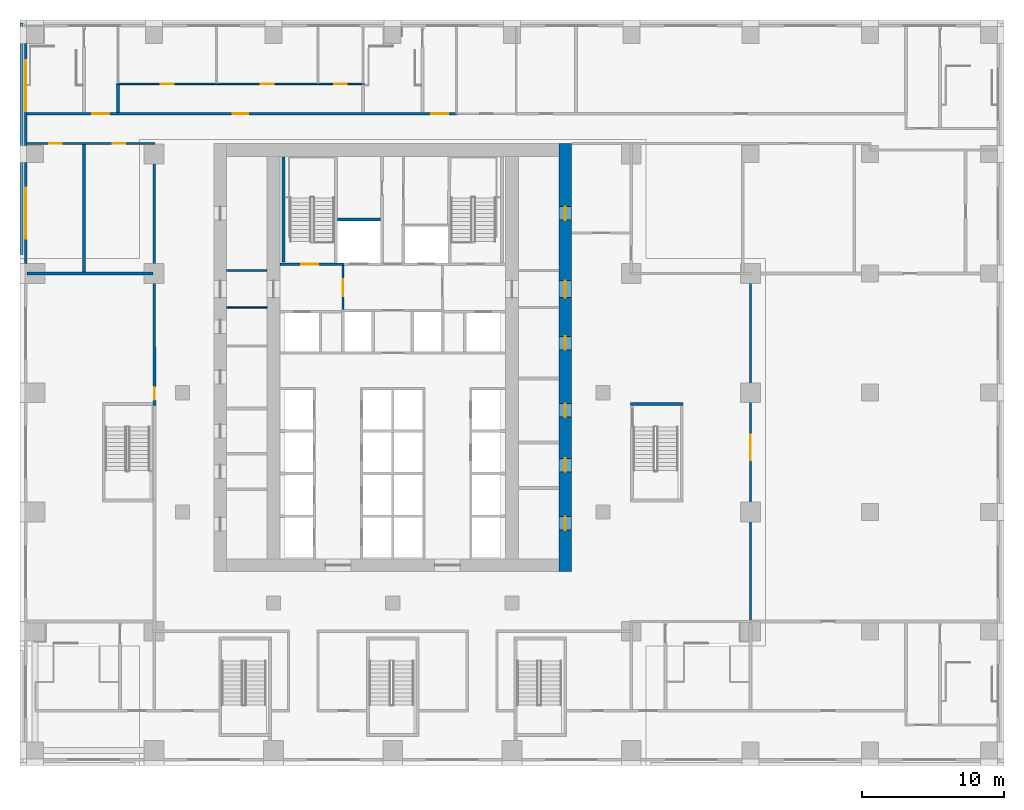
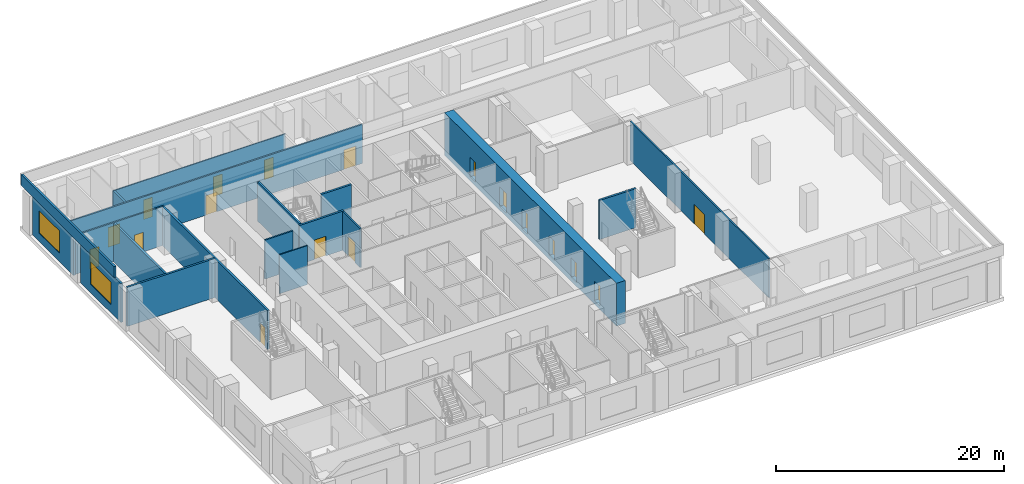
# One storey, part 6 of 16: 19 walls, 18 doors, 2 windows, 20 openings.
"""IFC4 building model written with IfcOpenShell, lengths in metres."""

from ifc_helpers import new_model, si_unit, direction, frame, frame_2d, origin, place, context, subcontext, project, spatial, rectangle, extrude, material, layer, layer_set, type_object, element, fill, save


model = new_model("IFC4")

# Units and contexts
model_context = context("Model", 3, precision=1e-05, world=origin(), true_north=direction((0.0, 1.0)))
body_context = subcontext(model_context, "Body", "Model", "MODEL_VIEW")
ifc_project = project(units=[si_unit("LENGTHUNIT", "METRE"), si_unit("AREAUNIT", "SQUARE_METRE"), si_unit("VOLUMEUNIT", "CUBIC_METRE"), si_unit("PLANEANGLEUNIT", "RADIAN"), si_unit("MASSUNIT", "GRAM", prefix="KILO")], contexts=[model_context])

# Site, building, storey
site_placement = place(None, origin())
site = spatial("IfcSite", under=ifc_project, at=site_placement, CompositionType="ELEMENT")
building_placement = place(site_placement, origin())
building = spatial("IfcBuilding", under=site, at=building_placement, Name="Vermilion Ogive Tower", CompositionType="ELEMENT")
storey_placement = place(building_placement, frame((0.0, 0.0, 30.0)))
storey = spatial("IfcBuildingStorey", under=building, at=storey_placement, Name="L05", CompositionType="ELEMENT", Elevation=30.0)

# Wall, openings, doors
ifc_material_1 = material(Name="Concrete B80", Category="concrete")
ifc_layer_1 = layer(ifc_material_1, 0.89990234375)
ifc_layer_set_1 = layer_set([ifc_layer_1], Name="Core wall 900 B80")
wall_type_1 = type_object("IfcWallType", Name="Core wall 900 B80", PredefinedType="SHEAR", material=ifc_layer_set_1)
wall_1_placement = place(storey_placement, frame((12.14990234375, -8.39990234375, -0.39990234375), z_axis=(0.0, 0.0, 1.0), x_axis=(0.0, 1.0, 0.0)))
wall_1 = element("IfcWall", 1, at=wall_1_placement, inside=storey, type_object=wall_type_1, Name="L05-CORE-E", PredefinedType="SHEAR", context=body_context, shape_type="SweptSolid", body=[
    extrude(rectangle(XDim=30.14990234375, YDim=0.89990234375, at=frame_2d((15.074951171875, 0.0))), origin(), (0.0, 0.0, 1.0), 4.579833984375),
])
opening_1_placement = place(wall_1_placement, frame((2.925048828125, 0.0, 0.39990234375)))
opening_1 = element("IfcOpeningElement", 2, at=opening_1_placement, cuts=wall_1, Name="Opening DAJ029", PredefinedType="OPENING", context=body_context, shape_type="SweptSolid", body=[
    extrude(rectangle(XDim=0.949951171875, YDim=2.10009765625, at=frame_2d((0.47509765625, 1.050048828125))), frame((0.0, 0.4599609375, 0.0), z_axis=(0.0, -1.0, 0.0), x_axis=(1.0, 0.0, 0.0)), (0.0, 0.0, 1.0), 0.919921875),
])
opening_2_placement = place(wall_1_placement, frame((7.02490234375, 0.0, 0.39990234375)))
opening_2 = element("IfcOpeningElement", 3, at=opening_2_placement, cuts=wall_1, Name="Opening DAJ030", PredefinedType="OPENING", context=body_context, shape_type="SweptSolid", body=[
    extrude(rectangle(XDim=0.949951171875, YDim=2.10009765625, at=frame_2d((0.47509765625, 1.050048828125))), frame((0.0, 0.4599609375, 0.0), z_axis=(0.0, -1.0, 0.0), x_axis=(1.0, 0.0, 0.0)), (0.0, 0.0, 1.0), 0.919921875),
])
opening_3_placement = place(wall_1_placement, frame((10.875, 0.0, 0.39990234375)))
opening_3 = element("IfcOpeningElement", 4, at=opening_3_placement, cuts=wall_1, Name="Opening DAJ031", PredefinedType="OPENING", context=body_context, shape_type="SweptSolid", body=[
    extrude(rectangle(XDim=0.949951171875, YDim=2.10009765625, at=frame_2d((0.47509765625, 1.050048828125))), frame((0.0, 0.4599609375, 0.0), z_axis=(0.0, -1.0, 0.0), x_axis=(1.0, 0.0, 0.0)), (0.0, 0.0, 1.0), 0.919921875),
])
opening_4_placement = place(wall_1_placement, frame((15.625, 0.0, 0.39990234375)))
opening_4 = element("IfcOpeningElement", 5, at=opening_4_placement, cuts=wall_1, Name="Opening DAJ032", PredefinedType="OPENING", context=body_context, shape_type="SweptSolid", body=[
    extrude(rectangle(XDim=0.949951171875, YDim=2.10009765625, at=frame_2d((0.47509765625, 1.050048828125))), frame((0.0, 0.4599609375, 0.0), z_axis=(0.0, -1.0, 0.0), x_axis=(1.0, 0.0, 0.0)), (0.0, 0.0, 1.0), 0.919921875),
])
opening_5_placement = place(wall_1_placement, frame((24.75, 0.0, 0.39990234375)))
opening_5 = element("IfcOpeningElement", 6, at=opening_5_placement, cuts=wall_1, Name="Opening DAJ033", PredefinedType="OPENING", context=body_context, shape_type="SweptSolid", body=[
    extrude(rectangle(XDim=0.949951171875, YDim=2.10009765625, at=frame_2d((0.47509765625, 1.050048828125))), frame((0.0, 0.4599609375, 0.0), z_axis=(0.0, -1.0, 0.0), x_axis=(1.0, 0.0, 0.0)), (0.0, 0.0, 1.0), 0.919921875),
])
opening_6_placement = place(wall_1_placement, frame((19.300048828125, 0.0, 0.39990234375)))
opening_6 = element("IfcOpeningElement", 7, at=opening_6_placement, cuts=wall_1, Name="Opening DBA006", PredefinedType="OPENING", context=body_context, shape_type="SweptSolid", body=[
    extrude(rectangle(XDim=1.199951171875, YDim=2.10009765625, at=frame_2d((0.60009765625, 1.050048828125))), frame((0.0, 0.4599609375, 0.0), z_axis=(0.0, -1.0, 0.0), x_axis=(1.0, 0.0, 0.0)), (0.0, 0.0, 1.0), 0.919921875),
])
ifc_material_2 = material(Name="Timber door leaf", Category="wood")
door_type_1 = type_object("IfcDoorType", Name="Link door 1200 x 2100 FD60S", OperationType="SINGLE_SWING_LEFT", PredefinedType="DOOR", material=ifc_material_2)
door_1_placement = place(opening_6_placement, origin())
door_1 = element("IfcDoor", 8, at=door_1_placement, inside=storey, type_object=door_type_1, Name="L05-CKE-XL", OperationType="SINGLE_SWING_LEFT", OverallHeight=2.10009765625, OverallWidth=1.199951171875, PredefinedType="DOOR", context=body_context, shape_type="SweptSolid", body=[
    extrude(rectangle(XDim=1.199951171875, YDim=2.10009765625, at=frame_2d((0.60009765625, 1.050048828125))), frame((0.0, 0.02490234375, 0.0), z_axis=(0.0, -1.0, 0.0), x_axis=(1.0, 0.0, 0.0)), (0.0, 0.0, 1.0), 0.050048828125),
])
fill(opening_6, door_1)
ifc_material_3 = material(Name="Timber door leaf", Category="wood")
door_type_2 = type_object("IfcDoorType", Name="Service door 950 x 2100 FD60", OperationType="SINGLE_SWING_LEFT", PredefinedType="DOOR", material=ifc_material_3)
door_2_placement = place(opening_1_placement, origin())
door_2 = element("IfcDoor", 9, at=door_2_placement, inside=storey, type_object=door_type_2, Name="L05-CKE-XR0", OperationType="SINGLE_SWING_LEFT", OverallHeight=2.10009765625, OverallWidth=0.949951171875, PredefinedType="DOOR", context=body_context, shape_type="SweptSolid", body=[
    extrude(rectangle(XDim=0.949951171875, YDim=2.10009765625, at=frame_2d((0.47509765625, 1.050048828125))), frame((0.0, 0.02490234375, 0.0), z_axis=(0.0, -1.0, 0.0), x_axis=(1.0, 0.0, 0.0)), (0.0, 0.0, 1.0), 0.050048828125),
])
fill(opening_1, door_2)
door_3_placement = place(opening_2_placement, origin())
door_3 = element("IfcDoor", 10, at=door_3_placement, inside=storey, type_object=door_type_2, Name="L05-CKE-XR1", OperationType="SINGLE_SWING_LEFT", OverallHeight=2.10009765625, OverallWidth=0.949951171875, PredefinedType="DOOR", context=body_context, shape_type="SweptSolid", body=[
    extrude(rectangle(XDim=0.949951171875, YDim=2.10009765625, at=frame_2d((0.47509765625, 1.050048828125))), frame((0.0, 0.02490234375, 0.0), z_axis=(0.0, -1.0, 0.0), x_axis=(1.0, 0.0, 0.0)), (0.0, 0.0, 1.0), 0.050048828125),
])
fill(opening_2, door_3)
door_4_placement = place(opening_3_placement, origin())
door_4 = element("IfcDoor", 11, at=door_4_placement, inside=storey, type_object=door_type_2, Name="L05-CKE-XR2", OperationType="SINGLE_SWING_LEFT", OverallHeight=2.10009765625, OverallWidth=0.949951171875, PredefinedType="DOOR", context=body_context, shape_type="SweptSolid", body=[
    extrude(rectangle(XDim=0.949951171875, YDim=2.10009765625, at=frame_2d((0.47509765625, 1.050048828125))), frame((0.0, 0.02490234375, 0.0), z_axis=(0.0, -1.0, 0.0), x_axis=(1.0, 0.0, 0.0)), (0.0, 0.0, 1.0), 0.050048828125),
])
fill(opening_3, door_4)
door_5_placement = place(opening_4_placement, origin())
door_5 = element("IfcDoor", 12, at=door_5_placement, inside=storey, type_object=door_type_2, Name="L05-CKE-XR3", OperationType="SINGLE_SWING_LEFT", OverallHeight=2.10009765625, OverallWidth=0.949951171875, PredefinedType="DOOR", context=body_context, shape_type="SweptSolid", body=[
    extrude(rectangle(XDim=0.949951171875, YDim=2.10009765625, at=frame_2d((0.47509765625, 1.050048828125))), frame((0.0, 0.02490234375, 0.0), z_axis=(0.0, -1.0, 0.0), x_axis=(1.0, 0.0, 0.0)), (0.0, 0.0, 1.0), 0.050048828125),
])
fill(opening_4, door_5)
door_6_placement = place(opening_5_placement, origin())
door_6 = element("IfcDoor", 13, at=door_6_placement, inside=storey, type_object=door_type_2, Name="L05-CKE-XR4", OperationType="SINGLE_SWING_LEFT", OverallHeight=2.10009765625, OverallWidth=0.949951171875, PredefinedType="DOOR", context=body_context, shape_type="SweptSolid", body=[
    extrude(rectangle(XDim=0.949951171875, YDim=2.10009765625, at=frame_2d((0.47509765625, 1.050048828125))), frame((0.0, 0.02490234375, 0.0), z_axis=(0.0, -1.0, 0.0), x_axis=(1.0, 0.0, 0.0)), (0.0, 0.0, 1.0), 0.050048828125),
])
fill(opening_5, door_6)

ifc_material_4 = material(Name="Gypsum board partition on steel studs", Category="steel")
ifc_layer_2 = layer(ifc_material_4, 0.10009765625)
ifc_layer_set_2 = layer_set([ifc_layer_2], Name="Partition 100 bath")
wall_type_2 = type_object("IfcWallType", Name="Partition 100 bath", PredefinedType="PARTITIONING", material=ifc_layer_set_2)
wall_2_placement = place(storey_placement, frame((-19.449951171875, 25.949951171875, 0.0), z_axis=(0.0, 0.0, 1.0), x_axis=(1.0, 0.0, 0.0)))
wall_2 = element("IfcWall", 14, at=wall_2_placement, inside=storey, type_object=wall_type_2, Name="L05-FS-W-W025", PredefinedType="PARTITIONING", context=body_context, shape_type="SweptSolid", body=[
    extrude(rectangle(XDim=17.449951171875, YDim=0.10009765625, at=frame_2d((8.72509765625, 0.0))), origin(), (0.0, 0.0, 1.0), 4.179931640625),
])
opening_7_placement = place(wall_2_placement, frame((3.112548828125, 0.0, 0.0)))
opening_7 = element("IfcOpeningElement", 15, at=opening_7_placement, cuts=wall_2, Name="Opening L05S018", PredefinedType="OPENING", context=body_context, shape_type="SweptSolid", body=[
    extrude(rectangle(XDim=0.89990234375, YDim=2.10009765625, at=frame_2d((0.449951171875, 1.050048828125))), frame((0.0, 0.06005859375, 0.0), z_axis=(0.0, -1.0, 0.0), x_axis=(1.0, 0.0, 0.0)), (0.0, 0.0, 1.0), 0.1201171875),
])
opening_8_placement = place(wall_2_placement, frame((10.162353515625, 0.0, 0.0)))
opening_8 = element("IfcOpeningElement", 16, at=opening_8_placement, cuts=wall_2, Name="Opening L05S019", PredefinedType="OPENING", context=body_context, shape_type="SweptSolid", body=[
    extrude(rectangle(XDim=0.89990234375, YDim=2.10009765625, at=frame_2d((0.449951171875, 1.050048828125))), frame((0.0, 0.06005859375, 0.0), z_axis=(0.0, -1.0, 0.0), x_axis=(1.0, 0.0, 0.0)), (0.0, 0.0, 1.0), 0.1201171875),
])
opening_9_placement = place(wall_2_placement, frame((15.324951171875, 0.0, 0.0)))
opening_9 = element("IfcOpeningElement", 17, at=opening_9_placement, cuts=wall_2, Name="Opening L05S020", PredefinedType="OPENING", context=body_context, shape_type="SweptSolid", body=[
    extrude(rectangle(XDim=0.89990234375, YDim=2.10009765625, at=frame_2d((0.449951171875, 1.050048828125))), frame((0.0, 0.06005859375, 0.0), z_axis=(0.0, -1.0, 0.0), x_axis=(1.0, 0.0, 0.0)), (0.0, 0.0, 1.0), 0.1201171875),
])
ifc_material_5 = material(Name="Timber door leaf", Category="wood")
door_type_3 = type_object("IfcDoorType", Name="Room door 900 x 2100 FD30", OperationType="SINGLE_SWING_LEFT", PredefinedType="DOOR", material=ifc_material_5)
door_7_placement = place(opening_7_placement, origin())
door_7 = element("IfcDoor", 18, at=door_7_placement, inside=storey, type_object=door_type_3, Name="L05-FS-D-D018", OperationType="SINGLE_SWING_LEFT", OverallHeight=2.10009765625, OverallWidth=0.89990234375, PredefinedType="DOOR", context=body_context, shape_type="SweptSolid", body=[
    extrude(rectangle(XDim=0.89990234375, YDim=2.10009765625, at=frame_2d((0.449951171875, 1.050048828125))), frame((0.0, 0.02490234375, 0.0), z_axis=(0.0, -1.0, 0.0), x_axis=(1.0, 0.0, 0.0)), (0.0, 0.0, 1.0), 0.050048828125),
])
fill(opening_7, door_7)
door_8_placement = place(opening_8_placement, origin())
door_8 = element("IfcDoor", 19, at=door_8_placement, inside=storey, type_object=door_type_3, Name="L05-FS-D-D019", OperationType="SINGLE_SWING_LEFT", OverallHeight=2.10009765625, OverallWidth=0.89990234375, PredefinedType="DOOR", context=body_context, shape_type="SweptSolid", body=[
    extrude(rectangle(XDim=0.89990234375, YDim=2.10009765625, at=frame_2d((0.449951171875, 1.050048828125))), frame((0.0, 0.02490234375, 0.0), z_axis=(0.0, -1.0, 0.0), x_axis=(1.0, 0.0, 0.0)), (0.0, 0.0, 1.0), 0.050048828125),
])
fill(opening_8, door_8)
door_9_placement = place(opening_9_placement, origin())
door_9 = element("IfcDoor", 20, at=door_9_placement, inside=storey, type_object=door_type_3, Name="L05-FS-D-D020", OperationType="SINGLE_SWING_LEFT", OverallHeight=2.10009765625, OverallWidth=0.89990234375, PredefinedType="DOOR", context=body_context, shape_type="SweptSolid", body=[
    extrude(rectangle(XDim=0.89990234375, YDim=2.10009765625, at=frame_2d((0.449951171875, 1.050048828125))), frame((0.0, 0.02490234375, 0.0), z_axis=(0.0, -1.0, 0.0), x_axis=(1.0, 0.0, 0.0)), (0.0, 0.0, 1.0), 0.050048828125),
])
fill(opening_9, door_9)

# Wall
wall_3_placement = place(storey_placement, frame((-11.698974609375, 10.199951171875, 0.0), z_axis=(0.0, 0.0, 1.0), x_axis=(1.0, 0.0, 0.0)))
element("IfcWall", 21, at=wall_3_placement, inside=storey, type_object=wall_type_2, Name="L05-CKW-W-W005", PredefinedType="PARTITIONING", context=body_context, shape_type="SweptSolid", body=[
    extrude(rectangle(XDim=2.847900390625, YDim=0.10009765625, at=frame_2d((1.423828125, 0.0))), origin(), (0.0, 0.0, 1.0), 4.179931640625),
])

# Wall, openings, doors
ifc_material_6 = material(Name="Gypsum board partition on steel studs", Category="steel")
ifc_layer_3 = layer(ifc_material_6, 0.14990234375)
ifc_layer_set_3 = layer_set([ifc_layer_3], Name="Partition 150 corridor")
wall_type_3 = type_object("IfcWallType", Name="Partition 150 corridor", PredefinedType="PARTITIONING", material=ifc_layer_set_3)
wall_4_placement = place(storey_placement, frame((-25.75, 21.75, 0.0), z_axis=(0.0, 0.0, 1.0), x_axis=(1.0, 0.0, 0.0)))
wall_4 = element("IfcWall", 22, at=wall_4_placement, inside=storey, type_object=wall_type_3, Name="L05-FS-W-W019", PredefinedType="PARTITIONING", context=body_context, shape_type="SweptSolid", body=[
    extrude(rectangle(XDim=9.02490234375, YDim=0.14990234375, at=frame_2d((4.512451171875, 0.0))), origin(), (0.0, 0.0, 1.0), 4.179931640625),
])
opening_10_placement = place(wall_4_placement, frame((1.550048828125, 0.0, 0.0)))
opening_10 = element("IfcOpeningElement", 23, at=opening_10_placement, cuts=wall_4, Name="Opening L05S015", PredefinedType="OPENING", context=body_context, shape_type="SweptSolid", body=[
    extrude(rectangle(XDim=0.89990234375, YDim=2.10009765625, at=frame_2d((0.449951171875, 1.050048828125))), frame((0.0, 0.0849609375, 0.0), z_axis=(0.0, -1.0, 0.0), x_axis=(1.0, 0.0, 0.0)), (0.0, 0.0, 1.0), 0.169921875),
])
opening_11_placement = place(wall_4_placement, frame((6.02490234375, 0.0, 0.0)))
opening_11 = element("IfcOpeningElement", 24, at=opening_11_placement, cuts=wall_4, Name="Opening L05S016", PredefinedType="OPENING", context=body_context, shape_type="SweptSolid", body=[
    extrude(rectangle(XDim=0.89990234375, YDim=2.10009765625, at=frame_2d((0.449951171875, 1.050048828125))), frame((0.0, 0.0849609375, 0.0), z_axis=(0.0, -1.0, 0.0), x_axis=(1.0, 0.0, 0.0)), (0.0, 0.0, 1.0), 0.169921875),
])
door_10_placement = place(opening_10_placement, origin())
door_10 = element("IfcDoor", 25, at=door_10_placement, inside=storey, type_object=door_type_3, Name="L05-FS-D-D015", OperationType="SINGLE_SWING_LEFT", OverallHeight=2.10009765625, OverallWidth=0.89990234375, PredefinedType="DOOR", context=body_context, shape_type="SweptSolid", body=[
    extrude(rectangle(XDim=0.89990234375, YDim=2.10009765625, at=frame_2d((0.449951171875, 1.050048828125))), frame((0.0, 0.02490234375, 0.0), z_axis=(0.0, -1.0, 0.0), x_axis=(1.0, 0.0, 0.0)), (0.0, 0.0, 1.0), 0.050048828125),
])
fill(opening_10, door_10)
door_11_placement = place(opening_11_placement, origin())
door_11 = element("IfcDoor", 26, at=door_11_placement, inside=storey, type_object=door_type_3, Name="L05-FS-D-D016", OperationType="SINGLE_SWING_RIGHT", OverallHeight=2.10009765625, OverallWidth=0.89990234375, PredefinedType="DOOR", context=body_context, shape_type="SweptSolid", body=[
    extrude(rectangle(XDim=0.89990234375, YDim=2.10009765625, at=frame_2d((0.449951171875, 1.050048828125))), frame((0.0, 0.02490234375, 0.0), z_axis=(0.0, -1.0, 0.0), x_axis=(1.0, 0.0, 0.0)), (0.0, 0.0, 1.0), 0.050048828125),
])
fill(opening_11, door_11)

wall_5_placement = place(storey_placement, frame((-25.75, 23.85009765625, 0.0), z_axis=(0.0, 0.0, 1.0), x_axis=(1.0, 0.0, 0.0)))
wall_5 = element("IfcWall", 27, at=wall_5_placement, inside=storey, type_object=wall_type_3, Name="L05-FS-W-W022", PredefinedType="PARTITIONING", context=body_context, shape_type="SweptSolid", body=[
    extrude(rectangle(XDim=30.300048828125, YDim=0.14990234375, at=frame_2d((15.14990234375, 0.0))), origin(), (0.0, 0.0, 1.0), 4.179931640625),
])
opening_12_placement = place(wall_5_placement, frame((4.60009765625, 0.0, 0.0)))
opening_12 = element("IfcOpeningElement", 28, at=opening_12_placement, cuts=wall_5, Name="Opening L05S007", PredefinedType="OPENING", context=body_context, shape_type="SweptSolid", body=[
    extrude(rectangle(XDim=1.199951171875, YDim=2.10009765625, at=frame_2d((0.60009765625, 1.050048828125))), frame((0.0, 0.0849609375, 0.0), z_axis=(0.0, -1.0, 0.0), x_axis=(1.0, 0.0, 0.0)), (0.0, 0.0, 1.0), 0.169921875),
])
opening_13_placement = place(wall_5_placement, frame((28.449951171875, 0.0, 0.0)))
opening_13 = element("IfcOpeningElement", 29, at=opening_13_placement, cuts=wall_5, Name="Opening L05S011", PredefinedType="OPENING", context=body_context, shape_type="SweptSolid", body=[
    extrude(rectangle(XDim=1.199951171875, YDim=2.10009765625, at=frame_2d((0.60009765625, 1.050048828125))), frame((0.0, 0.0849609375, 0.0), z_axis=(0.0, -1.0, 0.0), x_axis=(1.0, 0.0, 0.0)), (0.0, 0.0, 1.0), 0.169921875),
])
opening_14_placement = place(wall_5_placement, frame((14.47509765625, 0.0, 0.0)))
opening_14 = element("IfcOpeningElement", 30, at=opening_14_placement, cuts=wall_5, Name="Opening L05S017", PredefinedType="OPENING", context=body_context, shape_type="SweptSolid", body=[
    extrude(rectangle(XDim=1.10009765625, YDim=2.10009765625, at=frame_2d((0.550048828125, 1.050048828125))), frame((0.0, 0.0849609375, 0.0), z_axis=(0.0, -1.0, 0.0), x_axis=(1.0, 0.0, 0.0)), (0.0, 0.0, 1.0), 0.169921875),
])
ifc_material_7 = material(Name="Timber door leaf", Category="wood")
door_type_4 = type_object("IfcDoorType", Name="Stair door 1200 x 2100 FD60S", OperationType="SINGLE_SWING_LEFT", PredefinedType="DOOR", material=ifc_material_7)
door_12_placement = place(opening_12_placement, origin())
door_12 = element("IfcDoor", 31, at=door_12_placement, inside=storey, type_object=door_type_4, Name="L05-FS-D-D007", OperationType="SINGLE_SWING_LEFT", OverallHeight=2.10009765625, OverallWidth=1.199951171875, PredefinedType="DOOR", context=body_context, shape_type="SweptSolid", body=[
    extrude(rectangle(XDim=1.199951171875, YDim=2.10009765625, at=frame_2d((0.60009765625, 1.050048828125))), frame((0.0, 0.02490234375, 0.0), z_axis=(0.0, -1.0, 0.0), x_axis=(1.0, 0.0, 0.0)), (0.0, 0.0, 1.0), 0.050048828125),
])
fill(opening_12, door_12)
door_13_placement = place(opening_13_placement, origin())
door_13 = element("IfcDoor", 32, at=door_13_placement, inside=storey, type_object=door_type_4, Name="L05-FS-D-D011", OperationType="SINGLE_SWING_RIGHT", OverallHeight=2.10009765625, OverallWidth=1.199951171875, PredefinedType="DOOR", context=body_context, shape_type="SweptSolid", body=[
    extrude(rectangle(XDim=1.199951171875, YDim=2.10009765625, at=frame_2d((0.60009765625, 1.050048828125))), frame((0.0, 0.02490234375, 0.0), z_axis=(0.0, -1.0, 0.0), x_axis=(1.0, 0.0, 0.0)), (0.0, 0.0, 1.0), 0.050048828125),
])
fill(opening_13, door_13)
ifc_material_8 = material(Name="Timber door leaf", Category="wood")
door_type_5 = type_object("IfcDoorType", Name="Wc door 1100 x 2100 FD30", OperationType="SINGLE_SWING_LEFT", PredefinedType="DOOR", material=ifc_material_8)
door_14_placement = place(opening_14_placement, origin())
door_14 = element("IfcDoor", 33, at=door_14_placement, inside=storey, type_object=door_type_5, Name="L05-FS-D-D017", OperationType="SINGLE_SWING_LEFT", OverallHeight=2.10009765625, OverallWidth=1.10009765625, PredefinedType="DOOR", context=body_context, shape_type="SweptSolid", body=[
    extrude(rectangle(XDim=1.10009765625, YDim=2.10009765625, at=frame_2d((0.550048828125, 1.050048828125))), frame((0.0, 0.02490234375, 0.0), z_axis=(0.0, -1.0, 0.0), x_axis=(1.0, 0.0, 0.0)), (0.0, 0.0, 1.0), 0.050048828125),
])
fill(opening_14, door_14)

# Wall, opening, door
wall_6_placement = place(storey_placement, frame((25.199951171875, -11.800048828125, 0.0), z_axis=(0.0, 0.0, 1.0), x_axis=(0.0, 1.0, 0.0)))
wall_6 = element("IfcWall", 34, at=wall_6_placement, inside=storey, type_object=wall_type_3, Name="L05-FS-W-W052", PredefinedType="PARTITIONING", context=body_context, shape_type="SweptSolid", body=[
    extrude(rectangle(XDim=24.300048828125, YDim=0.14990234375, at=frame_2d((12.14990234375, 0.0))), origin(), (0.0, 0.0, 1.0), 4.179931640625),
])
opening_15_placement = place(wall_6_placement, frame((11.25, 0.0, 0.0)))
opening_15 = element("IfcOpeningElement", 35, at=opening_15_placement, cuts=wall_6, Name="Opening L05S021", PredefinedType="OPENING", context=body_context, shape_type="SweptSolid", body=[
    extrude(rectangle(XDim=1.800048828125, YDim=2.10009765625, at=frame_2d((0.89990234375, 1.050048828125))), frame((0.0, 0.0849609375, 0.0), z_axis=(0.0, -1.0, 0.0), x_axis=(1.0, 0.0, 0.0)), (0.0, 0.0, 1.0), 0.169921875),
])
ifc_material_9 = material(Name="Timber door leaf", Category="wood")
door_type_6 = type_object("IfcDoorType", Name="Assembly door 1800 x 2100 FD30", OperationType="DOUBLE_DOOR_SINGLE_SWING", PredefinedType="DOOR", material=ifc_material_9)
door_15_placement = place(opening_15_placement, origin())
door_15 = element("IfcDoor", 36, at=door_15_placement, inside=storey, type_object=door_type_6, Name="L05-FS-D-D021", OperationType="DOUBLE_DOOR_SINGLE_SWING", OverallHeight=2.10009765625, OverallWidth=1.800048828125, PredefinedType="DOOR", context=body_context, shape_type="SweptSolid", body=[
    extrude(rectangle(XDim=1.800048828125, YDim=2.10009765625, at=frame_2d((0.89990234375, 1.050048828125))), frame((0.0, 0.02490234375, 0.0), z_axis=(0.0, -1.0, 0.0), x_axis=(1.0, 0.0, 0.0)), (0.0, 0.0, 1.0), 0.050048828125),
])
fill(opening_15, door_15)

wall_7_placement = place(storey_placement, frame((-3.5, 10.074951171875, 0.0), z_axis=(0.0, 0.0, 1.0), x_axis=(0.0, 1.0, 0.0)))
wall_7 = element("IfcWall", 37, at=wall_7_placement, inside=storey, type_object=wall_type_3, Name="L05-CK-W-W026", PredefinedType="PARTITIONING", context=body_context, shape_type="SweptSolid", body=[
    extrude(rectangle(XDim=3.074951171875, YDim=0.14990234375, at=frame_2d((1.53759765625, 0.0))), origin(), (0.0, 0.0, 1.0), 4.179931640625),
])
opening_16_placement = place(wall_7_placement, frame((0.925048828125, 0.0, 0.0)))
opening_16 = element("IfcOpeningElement", 38, at=opening_16_placement, cuts=wall_7, Name="Opening DAB124", PredefinedType="OPENING", context=body_context, shape_type="SweptSolid", body=[
    extrude(rectangle(XDim=1.199951171875, YDim=2.10009765625, at=frame_2d((0.60009765625, 1.050048828125))), frame((0.0, 0.0849609375, 0.0), z_axis=(0.0, -1.0, 0.0), x_axis=(1.0, 0.0, 0.0)), (0.0, 0.0, 1.0), 0.169921875),
])
ifc_material_10 = material(Name="Timber door leaf", Category="wood")
door_type_7 = type_object("IfcDoorType", Name="Lobby door 1200 x 2100 FD60S", OperationType="SINGLE_SWING_LEFT", PredefinedType="DOOR", material=ifc_material_10)
door_16_placement = place(opening_16_placement, origin())
door_16 = element("IfcDoor", 39, at=door_16_placement, inside=storey, type_object=door_type_7, Name="L05-CK-D-D022", OperationType="SINGLE_SWING_RIGHT", OverallHeight=2.10009765625, OverallWidth=1.199951171875, PredefinedType="DOOR", context=body_context, shape_type="SweptSolid", body=[
    extrude(rectangle(XDim=1.199951171875, YDim=2.10009765625, at=frame_2d((0.60009765625, 1.050048828125))), frame((0.0, 0.02490234375, 0.0), z_axis=(0.0, -1.0, 0.0), x_axis=(1.0, 0.0, 0.0)), (0.0, 0.0, 1.0), 0.050048828125),
])
fill(opening_16, door_16)

# Walls
wall_8_placement = place(storey_placement, frame((-11.698974609375, 12.800048828125, 0.0), z_axis=(0.0, 0.0, 1.0), x_axis=(1.0, 0.0, 0.0)))
element("IfcWall", 40, at=wall_8_placement, inside=storey, type_object=wall_type_3, Name="L05-CKW-W-W006", PredefinedType="PARTITIONING", context=body_context, shape_type="SweptSolid", body=[
    extrude(rectangle(XDim=2.847900390625, YDim=0.14990234375, at=frame_2d((1.423828125, 0.0))), origin(), (0.0, 0.0, 1.0), 4.179931640625),
])
ifc_material_11 = material(Name="Gypsum board partition on steel studs", Category="steel")
ifc_layer_4 = layer(ifc_material_11, 0.199951171875)
ifc_layer_set_4 = layer_set([ifc_layer_4], Name="Partition 200 party")
wall_type_4 = type_object("IfcWallType", Name="Partition 200 party", PredefinedType="PARTITIONING", material=ifc_layer_set_4)
wall_9_placement = place(storey_placement, frame((-25.75, 12.60009765625, 0.0), z_axis=(0.0, 0.0, 1.0), x_axis=(1.0, 0.0, 0.0)))
element("IfcWall", 41, at=wall_9_placement, inside=storey, type_object=wall_type_4, Name="L05-FS-W-W014", PredefinedType="PARTITIONING", context=body_context, shape_type="SweptSolid", body=[
    extrude(rectangle(XDim=8.875, YDim=0.199951171875, at=frame_2d((4.4375, 0.0))), origin(), (0.0, 0.0, 1.0), 4.179931640625),
])
wall_10_placement = place(storey_placement, frame((-21.75, 12.699951171875, 0.0), z_axis=(0.0, 0.0, 1.0), x_axis=(0.0, 1.0, 0.0)))
element("IfcWall", 42, at=wall_10_placement, inside=storey, type_object=wall_type_4, Name="L05-FS-W-W026", PredefinedType="PARTITIONING", context=body_context, shape_type="SweptSolid", body=[
    extrude(rectangle(XDim=8.97509765625, YDim=0.199951171875, at=frame_2d((4.487548828125, 0.0))), origin(), (0.0, 0.0, 1.0), 4.179931640625),
])
wall_11_placement = place(storey_placement, frame((-19.35009765625, 23.925048828125, 0.0), z_axis=(0.0, 0.0, 1.0), x_axis=(0.0, 1.0, 0.0)))
element("IfcWall", 43, at=wall_11_placement, inside=storey, type_object=wall_type_4, Name="L05-FS-W-W028", PredefinedType="PARTITIONING", context=body_context, shape_type="SweptSolid", body=[
    extrude(rectangle(XDim=1.974853515625, YDim=0.199951171875, at=frame_2d((0.9873046875, 0.0))), origin(), (0.0, 0.0, 1.0), 4.179931640625),
])
wall_12_placement = place(storey_placement, frame((-3.89990234375, 16.39990234375, 0.0), z_axis=(0.0, 0.0, 1.0), x_axis=(1.0, 0.0, 0.0)))
element("IfcWall", 44, at=wall_12_placement, inside=storey, type_object=wall_type_4, Name="L05-CK-W-W021", PredefinedType="PARTITIONING", context=body_context, shape_type="SweptSolid", body=[
    extrude(rectangle(XDim=3.0498046875, YDim=0.199951171875, at=frame_2d((1.52490234375, 0.0))), origin(), (0.0, 0.0, 1.0), 4.179931640625),
])

# Wall, opening, door
ifc_material_12 = material(Name="Concrete B60", Category="concrete")
ifc_layer_5 = layer(ifc_material_12, 0.199951171875)
ifc_layer_set_5 = layer_set([ifc_layer_5], Name="Stair shaft wall 200 Concrete B60")
wall_type_5 = type_object("IfcWallType", Name="Stair shaft wall 200 Concrete B60", PredefinedType="SOLIDWALL", material=ifc_layer_set_5)
wall_13_placement = place(storey_placement, frame((-7.948974609375, 13.25, 0.0), z_axis=(0.0, 0.0, 1.0), x_axis=(1.0, 0.0, 0.0)))
wall_13 = element("IfcWall", 45, at=wall_13_placement, inside=storey, type_object=wall_type_5, Name="L05-CK-W-W017", PredefinedType="SOLIDWALL", context=body_context, shape_type="SweptSolid", body=[
    extrude(rectangle(XDim=4.52392578125, YDim=0.199951171875, at=frame_2d((2.261962890625, 0.0))), origin(), (0.0, 0.0, 1.0), 4.179931640625),
])
opening_17_placement = place(wall_13_placement, frame((1.4990234375, 0.0, 0.0)))
opening_17 = element("IfcOpeningElement", 46, at=opening_17_placement, cuts=wall_13, Name="Opening DAB131", PredefinedType="OPENING", context=body_context, shape_type="SweptSolid", body=[
    extrude(rectangle(XDim=1.199951171875, YDim=2.10009765625, at=frame_2d((0.60009765625, 1.050048828125))), frame((0.0, 0.10986328125, 0.0), z_axis=(0.0, -1.0, 0.0), x_axis=(1.0, 0.0, 0.0)), (0.0, 0.0, 1.0), 0.219970703125),
])
door_17_placement = place(opening_17_placement, origin())
door_17 = element("IfcDoor", 47, at=door_17_placement, inside=storey, type_object=door_type_4, Name="L05-CK-D-D011", OperationType="SINGLE_SWING_LEFT", OverallHeight=2.10009765625, OverallWidth=1.199951171875, PredefinedType="DOOR", context=body_context, shape_type="SweptSolid", body=[
    extrude(rectangle(XDim=1.199951171875, YDim=2.10009765625, at=frame_2d((0.60009765625, 1.050048828125))), frame((0.0, 0.02490234375, 0.0), z_axis=(0.0, -1.0, 0.0), x_axis=(1.0, 0.0, 0.0)), (0.0, 0.0, 1.0), 0.050048828125),
])
fill(opening_17, door_17)

# Walls
wall_14_placement = place(storey_placement, frame((16.75, 3.39990234375, 0.0), z_axis=(0.0, 0.0, 1.0), x_axis=(1.0, 0.0, 0.0)))
element("IfcWall", 48, at=wall_14_placement, inside=storey, type_object=wall_type_5, Name="L05-SW-ST8-N1", PredefinedType="SOLIDWALL", context=body_context, shape_type="SweptSolid", body=[
    extrude(rectangle(XDim=3.699951171875, YDim=0.199951171875, at=frame_2d((1.85009765625, 0.0))), origin(), (0.0, 0.0, 1.0), 4.179931640625),
])
wall_15_placement = place(storey_placement, frame((-7.699951171875, 13.39990234375, 0.0), z_axis=(0.0, 0.0, 1.0), x_axis=(0.0, 1.0, 0.0)))
element("IfcWall", 49, at=wall_15_placement, inside=storey, type_object=wall_type_5, Name="L05-SW-R022-W1", PredefinedType="SOLIDWALL", context=body_context, shape_type="SweptSolid", body=[
    extrude(rectangle(XDim=7.400146484375, YDim=0.199951171875, at=frame_2d((3.7001953125, 0.0))), origin(), (0.0, 0.0, 1.0), 4.179931640625),
])

# Wall, opening, door
wall_16_placement = place(storey_placement, frame((-16.78662109375, 3.300048828125, 0.0), z_axis=(0.0, 0.0, 1.0), x_axis=(-0.000729771851, 0.999999733716, 0.0)))
wall_16 = element("IfcWall", 50, at=wall_16_placement, inside=storey, type_object=wall_type_5, Name="L05-FS-W-W032-B", PredefinedType="SOLIDWALL", context=body_context, shape_type="SweptSolid", body=[
    extrude(rectangle(XDim=18.39990234375, YDim=0.199951171875, at=frame_2d((9.199951171875, 0.0))), origin(), (0.0, 0.0, 1.0), 4.179931640625),
])
opening_18_placement = place(wall_16_placement, frame((0.39990234375, 0.0, 0.0)))
opening_18 = element("IfcOpeningElement", 51, at=opening_18_placement, cuts=wall_16, Name="Opening L05S014", PredefinedType="OPENING", context=body_context, shape_type="SweptSolid", body=[
    extrude(rectangle(XDim=0.89990234375, YDim=2.10009765625, at=frame_2d((0.449951171875, 1.050048828125))), frame((0.0, 0.10986328125, 0.0), z_axis=(0.0, -1.0, 0.0), x_axis=(1.0, 0.0, 0.0)), (0.0, 0.0, 1.0), 0.219970703125),
])
door_18_placement = place(opening_18_placement, origin())
door_18 = element("IfcDoor", 52, at=door_18_placement, inside=storey, type_object=door_type_3, Name="L05-FS-D-D014", OperationType="SINGLE_SWING_LEFT", OverallHeight=2.10009765625, OverallWidth=0.89990234375, PredefinedType="DOOR", context=body_context, shape_type="SweptSolid", body=[
    extrude(rectangle(XDim=0.89990234375, YDim=2.10009765625, at=frame_2d((0.449951171875, 1.050048828125))), frame((0.0, 0.02490234375, 0.0), z_axis=(0.0, -1.0, 0.0), x_axis=(1.0, 0.0, 0.0)), (0.0, 0.0, 1.0), 0.050048828125),
])
fill(opening_18, door_18)

# Wall
ifc_material_13 = material(Name="Concrete B45", Category="concrete")
ifc_layer_6 = layer(ifc_material_13, 0.199951171875)
ifc_layer_set_6 = layer_set([ifc_layer_6], Name="Terrace parapet RC Concrete B45")
wall_type_6 = type_object("IfcWallType", Name="Terrace parapet RC Concrete B45", PredefinedType="PARAPET", material=ifc_layer_set_6)
wall_17_placement = place(storey_placement, frame((-26.14990234375, 13.949951171875, 4.5), z_axis=(0.0, 0.0, 1.0), x_axis=(0.0, 1.0, 0.0)))
element("IfcWall", 53, at=wall_17_placement, inside=storey, type_object=wall_type_6, Name="L05 terrace parapet 1", PredefinedType="PARAPET", context=body_context, shape_type="SweptSolid", body=[
    extrude(rectangle(XDim=16.300048828125, YDim=0.199951171875, at=frame_2d((8.14990234375, 0.0))), origin(), (0.0, 0.0, 1.0), 1.199951171875),
])

# Wall, opening, window
ifc_material_14 = material(Name="Aluminium window wall framing", Category="aluminium")
ifc_layer_7 = layer(ifc_material_14, 0.199951171875)
ifc_layer_set_7 = layer_set([ifc_layer_7], Name="Window wall")
wall_type_7 = type_object("IfcWallType", Name="Window wall", PredefinedType="STANDARD", material=ifc_layer_set_7)
wall_18_placement = place(storey_placement, frame((-25.85009765625, 28.800048828125, 0.0), z_axis=(0.0, 0.0, 1.0), x_axis=(0.0, -1.0, 0.0)))
wall_18 = element("IfcWall", 54, at=wall_18_placement, inside=storey, type_object=wall_type_7, Name="Window wall W1", PredefinedType="STANDARD", context=body_context, shape_type="SweptSolid", body=[
    extrude(rectangle(XDim=7.199951171875, YDim=0.199951171875, at=frame_2d((3.60009765625, 0.0))), origin(), (0.0, 0.0, 1.0), 4.179931640625),
])
opening_19_placement = place(wall_18_placement, frame((1.169921875, 0.0, 0.89990234375)))
opening_19 = element("IfcOpeningElement", 55, at=opening_19_placement, cuts=wall_18, Name="Opening P-W1", PredefinedType="OPENING", context=body_context, shape_type="SweptSolid", body=[
    extrude(rectangle(XDim=3.60009765625, YDim=2.39990234375, at=frame_2d((1.800048828125, 1.199951171875))), frame((0.0, 0.10986328125, 0.0), z_axis=(0.0, -1.0, 0.0), x_axis=(1.0, 0.0, 0.0)), (0.0, 0.0, 1.0), 0.219970703125),
])
ifc_material_15 = material(Name="Aluminium framed double glazing", Category="aluminium")
window_type = type_object("IfcWindowType", Name="Podium window P 3600x2400 sill 900", PartitioningType="SINGLE_PANEL", PredefinedType="WINDOW", material=ifc_material_15)
window_1_placement = place(opening_19_placement, origin())
window_1 = element("IfcWindow", 56, at=window_1_placement, inside=storey, type_object=window_type, Name="Window W1", OverallHeight=2.39990234375, OverallWidth=3.60009765625, PartitioningType="SINGLE_PANEL", PredefinedType="WINDOW", context=body_context, shape_type="SweptSolid", body=[
    extrude(rectangle(XDim=3.60009765625, YDim=2.39990234375, at=frame_2d((1.800048828125, 1.199951171875))), frame((0.0, 0.030029296875, 0.0), z_axis=(0.0, -1.0, 0.0), x_axis=(1.0, 0.0, 0.0)), (0.0, 0.0, 1.0), 0.06005859375),
])
fill(opening_19, window_1)

wall_19_placement = place(storey_placement, frame((-25.85009765625, 20.39990234375, 0.0), z_axis=(0.0, 0.0, 1.0), x_axis=(0.0, -1.0, 0.0)))
wall_19 = element("IfcWall", 57, at=wall_19_placement, inside=storey, type_object=wall_type_7, Name="Window wall W2", PredefinedType="STANDARD", context=body_context, shape_type="SweptSolid", body=[
    extrude(rectangle(XDim=7.099853515625, YDim=0.199951171875, at=frame_2d((3.5498046875, 0.0))), origin(), (0.0, 0.0, 1.0), 4.179931640625),
])
opening_20_placement = place(wall_19_placement, frame((1.75, 0.0, 0.89990234375)))
opening_20 = element("IfcOpeningElement", 58, at=opening_20_placement, cuts=wall_19, Name="Opening P-W2", PredefinedType="OPENING", context=body_context, shape_type="SweptSolid", body=[
    extrude(rectangle(XDim=3.60009765625, YDim=2.39990234375, at=frame_2d((1.800048828125, 1.199951171875))), frame((0.0, 0.10986328125, 0.0), z_axis=(0.0, -1.0, 0.0), x_axis=(1.0, 0.0, 0.0)), (0.0, 0.0, 1.0), 0.219970703125),
])
window_2_placement = place(opening_20_placement, origin())
window_2 = element("IfcWindow", 59, at=window_2_placement, inside=storey, type_object=window_type, Name="Window W2", OverallHeight=2.39990234375, OverallWidth=3.60009765625, PartitioningType="SINGLE_PANEL", PredefinedType="WINDOW", context=body_context, shape_type="SweptSolid", body=[
    extrude(rectangle(XDim=3.60009765625, YDim=2.39990234375, at=frame_2d((1.800048828125, 1.199951171875))), frame((0.0, 0.030029296875, 0.0), z_axis=(0.0, -1.0, 0.0), x_axis=(1.0, 0.0, 0.0)), (0.0, 0.0, 1.0), 0.06005859375),
])
fill(opening_20, window_2)

save(model, "model.ifc")
